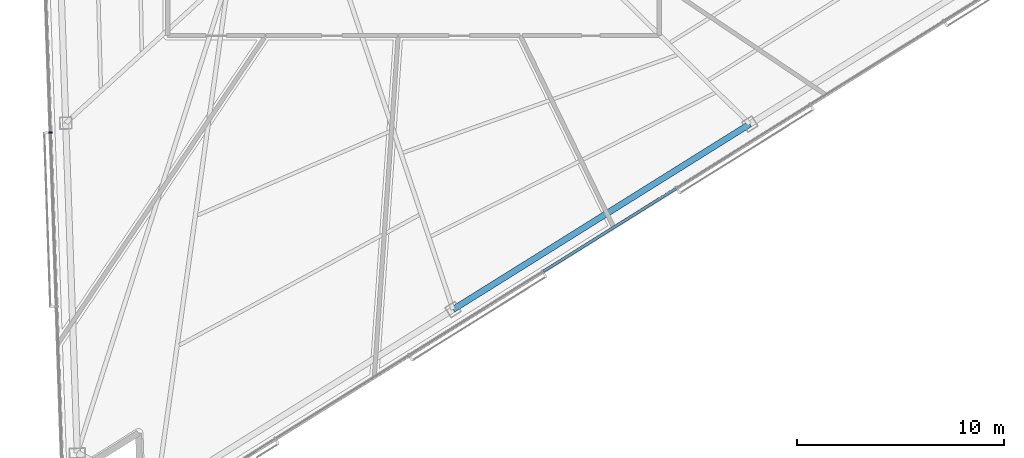
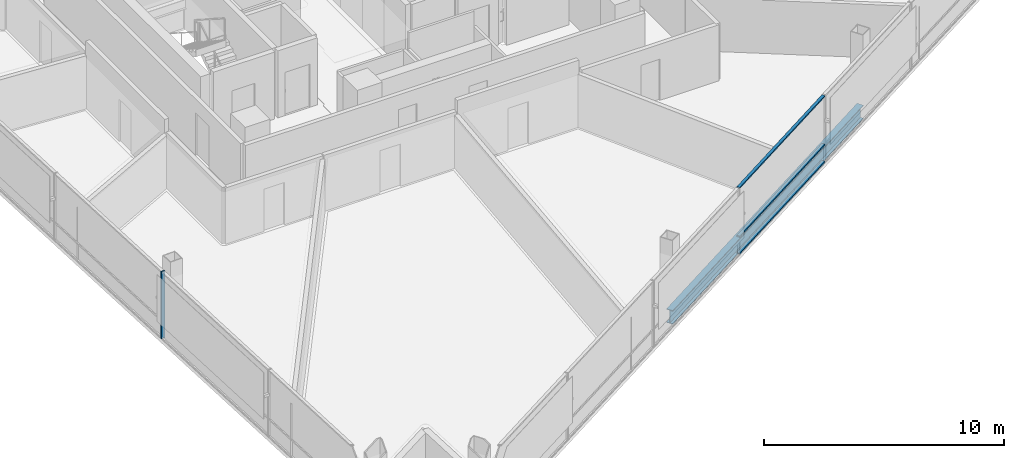
# One storey, part 3 of 20: 4 members, 1 beam, 2 elements without a shape of their own.
"""IFC4 building model written with IfcOpenShell, lengths in metres."""

from ifc_helpers import new_model, si_unit, direction, frame, origin, origin_2d, place, context, subcontext, project, spatial, rectangle, i_section, extrude, material, layer, layer_set, material_profile, profile_set, type_object, element, aggregate, save


model = new_model("IFC4")

# Units and contexts
model_context = context("Model", 3, precision=1e-05, world=origin(), true_north=direction((0.0, 1.0)))
body_context = subcontext(model_context, "Body", "Model", "MODEL_VIEW")
ifc_project = project(units=[si_unit("LENGTHUNIT", "METRE"), si_unit("AREAUNIT", "SQUARE_METRE"), si_unit("VOLUMEUNIT", "CUBIC_METRE"), si_unit("PLANEANGLEUNIT", "RADIAN"), si_unit("MASSUNIT", "GRAM", prefix="KILO")], contexts=[model_context])

# Site, building, storey
site_placement = place(None, origin())
site = spatial("IfcSite", under=ifc_project, at=site_placement, CompositionType="ELEMENT")
building_placement = place(site_placement, origin())
building = spatial("IfcBuilding", under=site, at=building_placement, Name="Tharavind Bronze Gate", CompositionType="ELEMENT")
storey_placement = place(building_placement, frame((0.0, 0.0, 149.60009765625)))
storey = spatial("IfcBuildingStorey", under=building, at=storey_placement, Name="L38", CompositionType="ELEMENT", Elevation=149.60009765625)

# Curtain wall, member
ifc_material_1 = material(Name="Anodised Bronze Aluminium", Category="aluminium")
ifc_layer = layer(ifc_material_1, 0.219970703125)
ifc_layer_set = layer_set([ifc_layer], Name="Anodised Bronze Aluminium")
curtain_wall_type = type_object("IfcCurtainWallType", Name="UNITISED CURTAIN WALL MID OFFICE", PredefinedType="USERDEFINED", material=ifc_layer_set)
curtain_wall_1_placement = place(storey_placement, origin())
curtain_wall_1 = element("IfcCurtainWall", 1, at=curtain_wall_1_placement, inside=storey, type_object=curtain_wall_type, Name="L38 unitised curtain wall mid office CW-L38-S1", ObjectType="UNITISED CURTAIN WALL", PredefinedType="USERDEFINED")
member_type_1 = type_object("IfcMemberType", Name="CURTAIN WALL BRONZE MULLION 65X180", PredefinedType="MULLION", material=ifc_material_1)
member_1_placement = place(storey_placement, frame((-17.545166015625, -15.273193359375, 0.0), z_axis=(0.0, 0.0, 1.0), x_axis=(0.034899496703, -0.999390827019, 0.0)))
member_1 = element("IfcMember", 2, at=member_1_placement, type_object=member_type_1, Name="CW-L38-S1 mullion 5", PredefinedType="MULLION", context=body_context, shape_type="SweptSolid", body=[
    extrude(rectangle(XDim=0.06494140625, YDim=0.179931640625, at=origin_2d()), origin(), (0.0, 0.0, 1.0), 3.409912109375),
])
aggregate(curtain_wall_1, [member_1])

# Curtain wall, members
curtain_wall_2_placement = place(storey_placement, origin())
curtain_wall_2 = element("IfcCurtainWall", 3, at=curtain_wall_2_placement, inside=storey, type_object=curtain_wall_type, Name="L38 unitised curtain wall mid office CW-L38-S2", ObjectType="UNITISED CURTAIN WALL", PredefinedType="USERDEFINED")
member_type_2 = type_object("IfcMemberType", Name="CURTAIN WALL BRONZE TRANSOM 65X140", PredefinedType="USERDEFINED", material=ifc_material_1)
member_2_placement = place(storey_placement, frame((9.485595703125, -19.97998046875, 0.0), z_axis=(0.0, 0.0, 1.0), x_axis=(0.848048096156, 0.529919264233, 0.0)))
member_2 = element("IfcMember", 4, at=member_2_placement, type_object=member_type_2, Name="CW-L38-S2 transom TB4", ObjectType="TRANSOM", PredefinedType="USERDEFINED", context=body_context, shape_type="SweptSolid", body=[
    extrude(rectangle(XDim=7.57080078125, YDim=0.139892578125, at=origin_2d()), origin(), (0.0, 0.0, 1.0), 0.06494140625),
])
member_3_placement = place(storey_placement, frame((9.485595703125, -19.97998046875, 0.867431640625), z_axis=(0.0, 0.0, 1.0), x_axis=(0.848048096156, 0.529919264233, 0.0)))
member_3 = element("IfcMember", 5, at=member_3_placement, type_object=member_type_2, Name="CW-L38-S2 transom TS4", ObjectType="TRANSOM", PredefinedType="USERDEFINED", context=body_context, shape_type="SweptSolid", body=[
    extrude(rectangle(XDim=7.57080078125, YDim=0.139892578125, at=origin_2d()), origin(), (0.0, 0.0, 1.0), 0.06494140625),
])
member_4_placement = place(storey_placement, frame((9.485595703125, -19.97998046875, 3.344970703125), z_axis=(0.0, 0.0, 1.0), x_axis=(0.848048096156, 0.529919264233, 0.0)))
member_4 = element("IfcMember", 6, at=member_4_placement, type_object=member_type_2, Name="CW-L38-S2 transom TT4", ObjectType="TRANSOM", PredefinedType="USERDEFINED", context=body_context, shape_type="SweptSolid", body=[
    extrude(rectangle(XDim=7.57080078125, YDim=0.139892578125, at=origin_2d()), origin(), (0.0, 0.0, 1.0), 0.06494140625),
])
aggregate(curtain_wall_2, [member_2, member_3, member_4])

# Beam
ifc_material_2 = material(Name="Steel S355", Category="steel")
ifc_material_profile = material_profile(ifc_material_2, i_section(OverallWidth=0.300048828125, OverallDepth=0.699951171875, WebThickness=0.01708984375, FlangeThickness=0.031982421875, at=origin_2d()), Name="HE700B")
ifc_profile_set = profile_set([ifc_material_profile], Name="Steel S355")
beam_type = type_object("IfcBeamType", Name="RING GIRDER HE700B", PredefinedType="USERDEFINED", material=ifc_profile_set)
beam_placement = place(storey_placement, frame((1.912353515625, -23.827880859375, -0.5400390625), z_axis=(0.848050170677, 0.529915944293, 0.0), x_axis=(-0.529915944293, 0.848050170677, 0.0)))
element("IfcBeam", 7, at=beam_placement, inside=storey, type_object=beam_type, Name="L38 ring girder he700b BM-L38-PRG06", ObjectType="GIRDER", PredefinedType="USERDEFINED", context=body_context, shape_type="SweptSolid", body=[
    extrude(i_section(OverallWidth=0.300048828125, OverallDepth=0.699951171875, WebThickness=0.01708984375, FlangeThickness=0.031982421875, at=origin_2d()), origin(), (0.0, 0.0, 1.0), 16.923095703125),
])

save(model, "model.ifc")
